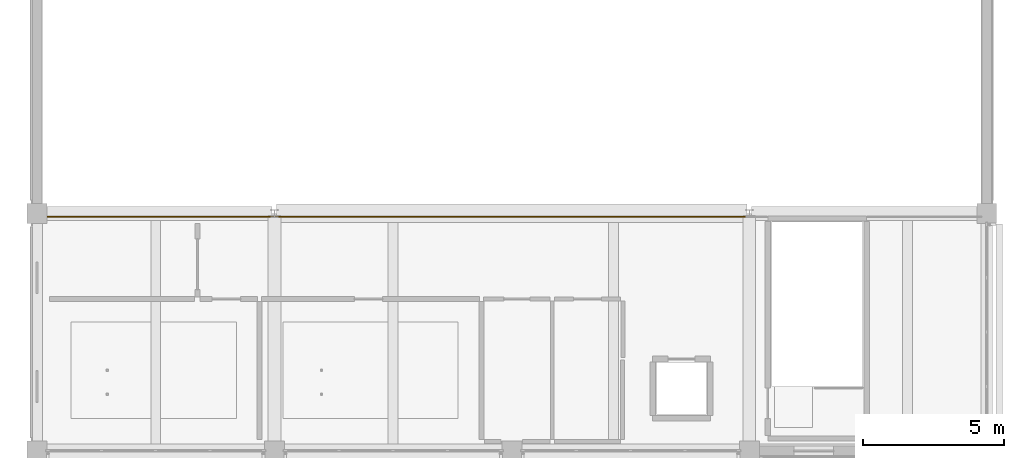
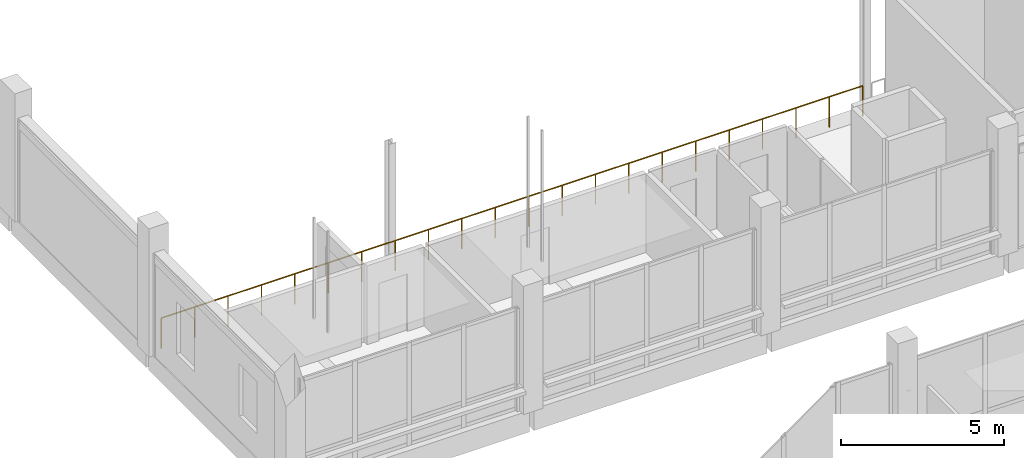
# One storey, part 122 of 128: 1 railing.
"""IFC4 building model written with IfcOpenShell, lengths in metres."""

from ifc_helpers import new_model, si_unit, direction, frame, origin, origin_2d, place, context, subcontext, project, spatial, circle, extrude, material, type_object, element, save


model = new_model("IFC4")

# Units and contexts
model_context = context("Model", 3, precision=1e-05, world=origin(), true_north=direction((0.0, 1.0)))
body_context = subcontext(model_context, "Body", "Model", "MODEL_VIEW")
ifc_project = project(units=[si_unit("LENGTHUNIT", "METRE"), si_unit("AREAUNIT", "SQUARE_METRE"), si_unit("VOLUMEUNIT", "CUBIC_METRE"), si_unit("PLANEANGLEUNIT", "RADIAN"), si_unit("MASSUNIT", "GRAM", prefix="KILO")], contexts=[model_context])

# Site, building, storey
site_placement = place(None, origin())
site = spatial("IfcSite", under=ifc_project, at=site_placement, CompositionType="ELEMENT")
building_placement = place(site_placement, origin())
building = spatial("IfcBuilding", under=site, at=building_placement, Name="Telukmera Botanical Conservatory", CompositionType="ELEMENT")
storey_placement = place(building_placement, frame((0.0, 0.0, 5.39990234375)))
storey = spatial("IfcBuildingStorey", under=building, at=storey_placement, Name="L01", CompositionType="ELEMENT", Elevation=5.39990234375)

# Railing
ifc_material = material(Name="Steel S355", Category="steel")
railing_type = type_object("IfcRailingType", Name="RL-BALC-1150", PredefinedType="GUARDRAIL", material=ifc_material)
railing_placement = place(storey_placement, frame((8.6201171875, 91.47998046875, 0.0)))
element("IfcRailing", 1, at=railing_placement, inside=storey, type_object=railing_type, Name="L01 Auditorium Balcony Front Guard", PredefinedType="GUARDRAIL", context=body_context, shape_type="SweptSolid", body=[
    extrude(circle(Radius=0.02392578125, at=origin_2d()), frame((0.0, 0.0, 1.1259765625), z_axis=(1.0, 0.0, 0.0), x_axis=(0.0, 1.0, 0.0)), (0.0, 0.0, 1.0), 24.81982421875),
    extrude(circle(Radius=0.02099609375, at=origin_2d()), origin(), (0.0, 0.0, 1.0), 1.101806640625),
    extrude(circle(Radius=0.02099609375, at=origin_2d()), frame((1.181884765625, 0.0, 0.0)), (0.0, 0.0, 1.0), 1.101806640625),
    extrude(circle(Radius=0.02099609375, at=origin_2d()), frame((2.36376953125, 0.0, 0.0)), (0.0, 0.0, 1.0), 1.101806640625),
    extrude(circle(Radius=0.02099609375, at=origin_2d()), frame((3.545654296875, 0.0, 0.0)), (0.0, 0.0, 1.0), 1.101806640625),
    extrude(circle(Radius=0.02099609375, at=origin_2d()), frame((4.7275390625, 0.0, 0.0)), (0.0, 0.0, 1.0), 1.101806640625),
    extrude(circle(Radius=0.02099609375, at=origin_2d()), frame((5.909423828125, 0.0, 0.0)), (0.0, 0.0, 1.0), 1.101806640625),
    extrude(circle(Radius=0.02099609375, at=origin_2d()), frame((7.09130859375, 0.0, 0.0)), (0.0, 0.0, 1.0), 1.101806640625),
    extrude(circle(Radius=0.02099609375, at=origin_2d()), frame((8.273193359375, 0.0, 0.0)), (0.0, 0.0, 1.0), 1.101806640625),
    extrude(circle(Radius=0.02099609375, at=origin_2d()), frame((9.455078125, 0.0, 0.0)), (0.0, 0.0, 1.0), 1.101806640625),
    extrude(circle(Radius=0.02099609375, at=origin_2d()), frame((10.636962890625, 0.0, 0.0)), (0.0, 0.0, 1.0), 1.101806640625),
    extrude(circle(Radius=0.02099609375, at=origin_2d()), frame((11.81884765625, 0.0, 0.0)), (0.0, 0.0, 1.0), 1.101806640625),
    extrude(circle(Radius=0.02099609375, at=origin_2d()), frame((13.0009765625, 0.0, 0.0)), (0.0, 0.0, 1.0), 1.101806640625),
    extrude(circle(Radius=0.02099609375, at=origin_2d()), frame((14.182861328125, 0.0, 0.0)), (0.0, 0.0, 1.0), 1.101806640625),
    extrude(circle(Radius=0.02099609375, at=origin_2d()), frame((15.36474609375, 0.0, 0.0)), (0.0, 0.0, 1.0), 1.101806640625),
    extrude(circle(Radius=0.02099609375, at=origin_2d()), frame((16.546630859375, 0.0, 0.0)), (0.0, 0.0, 1.0), 1.101806640625),
    extrude(circle(Radius=0.02099609375, at=origin_2d()), frame((17.728515625, 0.0, 0.0)), (0.0, 0.0, 1.0), 1.101806640625),
    extrude(circle(Radius=0.02099609375, at=origin_2d()), frame((18.910400390625, 0.0, 0.0)), (0.0, 0.0, 1.0), 1.101806640625),
    extrude(circle(Radius=0.02099609375, at=origin_2d()), frame((20.09228515625, 0.0, 0.0)), (0.0, 0.0, 1.0), 1.101806640625),
    extrude(circle(Radius=0.02099609375, at=origin_2d()), frame((21.274169921875, 0.0, 0.0)), (0.0, 0.0, 1.0), 1.101806640625),
    extrude(circle(Radius=0.02099609375, at=origin_2d()), frame((22.4560546875, 0.0, 0.0)), (0.0, 0.0, 1.0), 1.101806640625),
    extrude(circle(Radius=0.02099609375, at=origin_2d()), frame((23.637939453125, 0.0, 0.0)), (0.0, 0.0, 1.0), 1.101806640625),
    extrude(circle(Radius=0.02099609375, at=origin_2d()), frame((24.81982421875, 0.0, 0.0)), (0.0, 0.0, 1.0), 1.101806640625),
])

save(model, "model.ifc")
